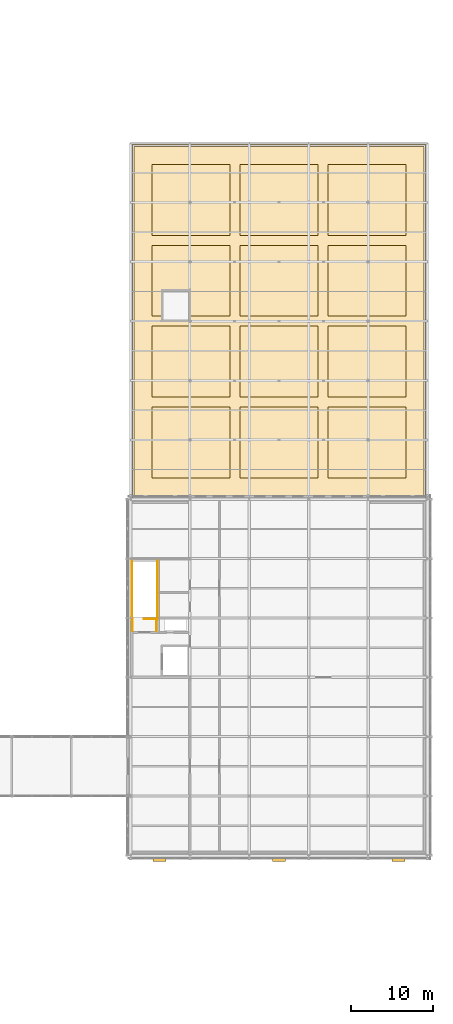
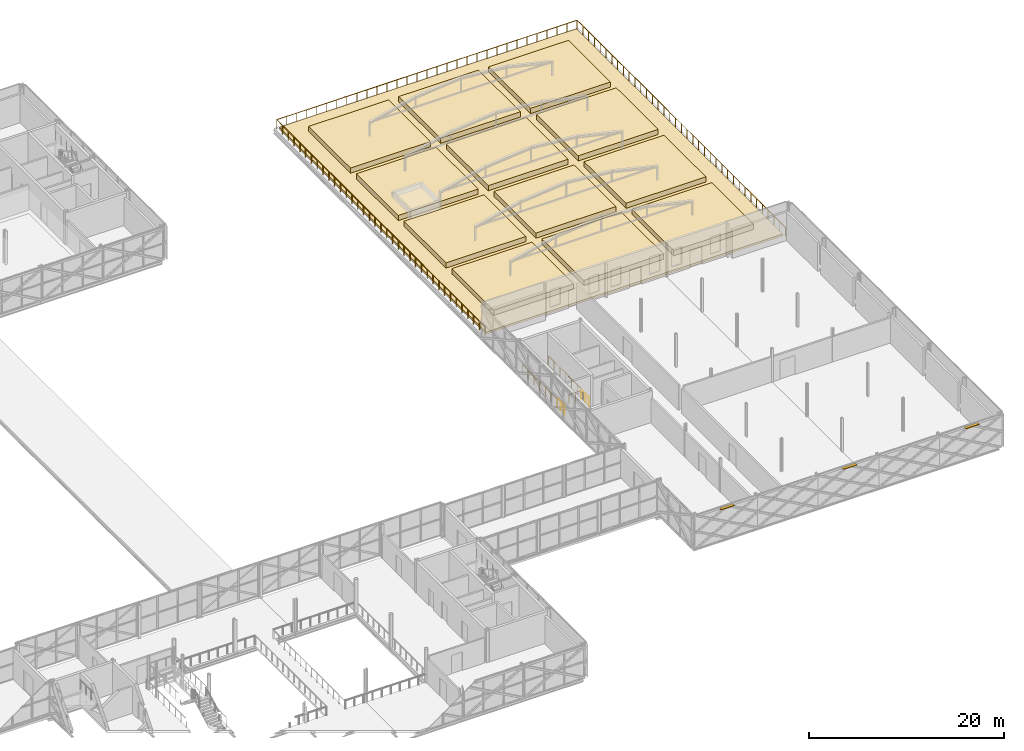
# One storey, part 126 of 126: 13 coverings, 6 railings, 3 shading devices.
"""IFC4 building model written with IfcOpenShell, lengths in metres."""

from ifc_helpers import new_model, si_unit, direction, frame, origin, origin_2d, place, context, subcontext, project, spatial, polyline, rectangle, circle, outline, extrude, material, layer, layer_set, type_object, element, save


model = new_model("IFC4")

# Units and contexts
model_context = context("Model", 3, precision=1e-05, world=origin(), true_north=direction((0.0, 1.0)))
body_context = subcontext(model_context, "Body", "Model", "MODEL_VIEW")
ifc_project = project(units=[si_unit("LENGTHUNIT", "METRE"), si_unit("AREAUNIT", "SQUARE_METRE"), si_unit("VOLUMEUNIT", "CUBIC_METRE"), si_unit("PLANEANGLEUNIT", "RADIAN"), si_unit("MASSUNIT", "GRAM", prefix="KILO")], contexts=[model_context])

# Site, building, storey
site_placement = place(None, origin())
site = spatial("IfcSite", under=ifc_project, at=site_placement, CompositionType="ELEMENT")
building_placement = place(site_placement, origin())
building = spatial("IfcBuilding", under=site, at=building_placement, Name="Zlatovets Crest Museum", CompositionType="ELEMENT")
storey_placement = place(building_placement, frame((0.0, 0.0, 8.699951171875)))
storey = spatial("IfcBuildingStorey", under=building, at=storey_placement, Name="L02", CompositionType="ELEMENT", Elevation=8.699951171875)

# Railing
ifc_material_1 = material(Name="Patinated bronze and laminated glass balustrade", Category="glass")
railing_type_1 = type_object("IfcRailingType", Name="Balustrade_BL01", PredefinedType="BALUSTRADE", material=ifc_material_1)
railing_1_placement = place(storey_placement, frame((129.800048828125, 57.800048828125, 0.0)))
element("IfcRailing", 1, at=railing_1_placement, inside=storey, type_object=railing_type_1, Name="L02 Conservation Roof Garden Guard BL-01", PredefinedType="BALUSTRADE", context=body_context, shape_type="SweptSolid", body=[
    extrude(circle(Radius=0.02392578125, at=origin_2d()), frame((0.0, 0.0, 1.1259765625), z_axis=(0.0, 1.0, 0.0), x_axis=(-1.0, 0.0, 0.0)), (0.0, 0.0, 1.0), 42.800048828125),
    extrude(circle(Radius=0.02392578125, at=origin_2d()), frame((0.0, 42.800048828125, 1.1259765625), z_axis=(1.0, 0.0, 0.0), x_axis=(0.0, 1.0, 0.0)), (0.0, 0.0, 1.0), 35.599853515625),
    extrude(circle(Radius=0.02392578125, at=origin_2d()), frame((35.599853515625, 42.800048828125, 1.1259765625), z_axis=(0.0, -1.0, 0.0), x_axis=(1.0, 0.0, 0.0)), (0.0, 0.0, 1.0), 42.800048828125),
    extrude(circle(Radius=0.02099609375, at=origin_2d()), origin(), (0.0, 0.0, 1.0), 1.101806640625),
    extrude(circle(Radius=0.02099609375, at=origin_2d()), frame((0.0, 1.18896484375, 0.0)), (0.0, 0.0, 1.0), 1.101806640625),
    extrude(circle(Radius=0.02099609375, at=origin_2d()), frame((0.0, 2.377685546875, 0.0)), (0.0, 0.0, 1.0), 1.101806640625),
    extrude(circle(Radius=0.02099609375, at=origin_2d()), frame((0.0, 3.566650390625, 0.0)), (0.0, 0.0, 1.0), 1.101806640625),
    extrude(circle(Radius=0.02099609375, at=origin_2d()), frame((0.0, 4.755615234375, 0.0)), (0.0, 0.0, 1.0), 1.101806640625),
    extrude(circle(Radius=0.02099609375, at=origin_2d()), frame((0.0, 5.9443359375, 0.0)), (0.0, 0.0, 1.0), 1.101806640625),
    extrude(circle(Radius=0.02099609375, at=origin_2d()), frame((0.0, 7.13330078125, 0.0)), (0.0, 0.0, 1.0), 1.101806640625),
    extrude(circle(Radius=0.02099609375, at=origin_2d()), frame((0.0, 8.322265625, 0.0)), (0.0, 0.0, 1.0), 1.101806640625),
    extrude(circle(Radius=0.02099609375, at=origin_2d()), frame((0.0, 9.51123046875, 0.0)), (0.0, 0.0, 1.0), 1.101806640625),
    extrude(circle(Radius=0.02099609375, at=origin_2d()), frame((0.0, 10.699951171875, 0.0)), (0.0, 0.0, 1.0), 1.101806640625),
    extrude(circle(Radius=0.02099609375, at=origin_2d()), frame((0.0, 11.888916015625, 0.0)), (0.0, 0.0, 1.0), 1.101806640625),
    extrude(circle(Radius=0.02099609375, at=origin_2d()), frame((0.0, 13.077880859375, 0.0)), (0.0, 0.0, 1.0), 1.101806640625),
    extrude(circle(Radius=0.02099609375, at=origin_2d()), frame((0.0, 14.2666015625, 0.0)), (0.0, 0.0, 1.0), 1.101806640625),
    extrude(circle(Radius=0.02099609375, at=origin_2d()), frame((0.0, 15.45556640625, 0.0)), (0.0, 0.0, 1.0), 1.101806640625),
    extrude(circle(Radius=0.02099609375, at=origin_2d()), frame((0.0, 16.64453125, 0.0)), (0.0, 0.0, 1.0), 1.101806640625),
    extrude(circle(Radius=0.02099609375, at=origin_2d()), frame((0.0, 17.833251953125, 0.0)), (0.0, 0.0, 1.0), 1.101806640625),
    extrude(circle(Radius=0.02099609375, at=origin_2d()), frame((0.0, 19.022216796875, 0.0)), (0.0, 0.0, 1.0), 1.101806640625),
    extrude(circle(Radius=0.02099609375, at=origin_2d()), frame((0.0, 20.211181640625, 0.0)), (0.0, 0.0, 1.0), 1.101806640625),
    extrude(circle(Radius=0.02099609375, at=origin_2d()), frame((0.0, 21.39990234375, 0.0)), (0.0, 0.0, 1.0), 1.101806640625),
    extrude(circle(Radius=0.02099609375, at=origin_2d()), frame((0.0, 22.5888671875, 0.0)), (0.0, 0.0, 1.0), 1.101806640625),
    extrude(circle(Radius=0.02099609375, at=origin_2d()), frame((0.0, 23.77783203125, 0.0)), (0.0, 0.0, 1.0), 1.101806640625),
    extrude(circle(Radius=0.02099609375, at=origin_2d()), frame((0.0, 24.966796875, 0.0)), (0.0, 0.0, 1.0), 1.101806640625),
    extrude(circle(Radius=0.02099609375, at=origin_2d()), frame((0.0, 26.155517578125, 0.0)), (0.0, 0.0, 1.0), 1.101806640625),
    extrude(circle(Radius=0.02099609375, at=origin_2d()), frame((0.0, 27.344482421875, 0.0)), (0.0, 0.0, 1.0), 1.101806640625),
    extrude(circle(Radius=0.02099609375, at=origin_2d()), frame((0.0, 28.533447265625, 0.0)), (0.0, 0.0, 1.0), 1.101806640625),
    extrude(circle(Radius=0.02099609375, at=origin_2d()), frame((0.0, 29.72216796875, 0.0)), (0.0, 0.0, 1.0), 1.101806640625),
    extrude(circle(Radius=0.02099609375, at=origin_2d()), frame((0.0, 30.9111328125, 0.0)), (0.0, 0.0, 1.0), 1.101806640625),
    extrude(circle(Radius=0.02099609375, at=origin_2d()), frame((0.0, 32.10009765625, 0.0)), (0.0, 0.0, 1.0), 1.101806640625),
    extrude(circle(Radius=0.02099609375, at=origin_2d()), frame((0.0, 33.288818359375, 0.0)), (0.0, 0.0, 1.0), 1.101806640625),
    extrude(circle(Radius=0.02099609375, at=origin_2d()), frame((0.0, 34.477783203125, 0.0)), (0.0, 0.0, 1.0), 1.101806640625),
    extrude(circle(Radius=0.02099609375, at=origin_2d()), frame((0.0, 35.666748046875, 0.0)), (0.0, 0.0, 1.0), 1.101806640625),
    extrude(circle(Radius=0.02099609375, at=origin_2d()), frame((0.0, 36.855712890625, 0.0)), (0.0, 0.0, 1.0), 1.101806640625),
    extrude(circle(Radius=0.02099609375, at=origin_2d()), frame((0.0, 38.04443359375, 0.0)), (0.0, 0.0, 1.0), 1.101806640625),
    extrude(circle(Radius=0.02099609375, at=origin_2d()), frame((0.0, 39.2333984375, 0.0)), (0.0, 0.0, 1.0), 1.101806640625),
    extrude(circle(Radius=0.02099609375, at=origin_2d()), frame((0.0, 40.42236328125, 0.0)), (0.0, 0.0, 1.0), 1.101806640625),
    extrude(circle(Radius=0.02099609375, at=origin_2d()), frame((0.0, 41.611083984375, 0.0)), (0.0, 0.0, 1.0), 1.101806640625),
    extrude(circle(Radius=0.02099609375, at=origin_2d()), frame((0.0, 42.800048828125, 0.0)), (0.0, 0.0, 1.0), 1.101806640625),
    extrude(circle(Radius=0.02099609375, at=origin_2d()), frame((1.186767578125, 42.800048828125, 0.0)), (0.0, 0.0, 1.0), 1.101806640625),
    extrude(circle(Radius=0.02099609375, at=origin_2d()), frame((2.373291015625, 42.800048828125, 0.0)), (0.0, 0.0, 1.0), 1.101806640625),
    extrude(circle(Radius=0.02099609375, at=origin_2d()), frame((3.56005859375, 42.800048828125, 0.0)), (0.0, 0.0, 1.0), 1.101806640625),
    extrude(circle(Radius=0.02099609375, at=origin_2d()), frame((4.74658203125, 42.800048828125, 0.0)), (0.0, 0.0, 1.0), 1.101806640625),
    extrude(circle(Radius=0.02099609375, at=origin_2d()), frame((5.933349609375, 42.800048828125, 0.0)), (0.0, 0.0, 1.0), 1.101806640625),
    extrude(circle(Radius=0.02099609375, at=origin_2d()), frame((7.119873046875, 42.800048828125, 0.0)), (0.0, 0.0, 1.0), 1.101806640625),
    extrude(circle(Radius=0.02099609375, at=origin_2d()), frame((8.306640625, 42.800048828125, 0.0)), (0.0, 0.0, 1.0), 1.101806640625),
    extrude(circle(Radius=0.02099609375, at=origin_2d()), frame((9.493408203125, 42.800048828125, 0.0)), (0.0, 0.0, 1.0), 1.101806640625),
    extrude(circle(Radius=0.02099609375, at=origin_2d()), frame((10.679931640625, 42.800048828125, 0.0)), (0.0, 0.0, 1.0), 1.101806640625),
    extrude(circle(Radius=0.02099609375, at=origin_2d()), frame((11.86669921875, 42.800048828125, 0.0)), (0.0, 0.0, 1.0), 1.101806640625),
    extrude(circle(Radius=0.02099609375, at=origin_2d()), frame((13.05322265625, 42.800048828125, 0.0)), (0.0, 0.0, 1.0), 1.101806640625),
    extrude(circle(Radius=0.02099609375, at=origin_2d()), frame((14.239990234375, 42.800048828125, 0.0)), (0.0, 0.0, 1.0), 1.101806640625),
    extrude(circle(Radius=0.02099609375, at=origin_2d()), frame((15.426513671875, 42.800048828125, 0.0)), (0.0, 0.0, 1.0), 1.101806640625),
    extrude(circle(Radius=0.02099609375, at=origin_2d()), frame((16.61328125, 42.800048828125, 0.0)), (0.0, 0.0, 1.0), 1.101806640625),
    extrude(circle(Radius=0.02099609375, at=origin_2d()), frame((17.7998046875, 42.800048828125, 0.0)), (0.0, 0.0, 1.0), 1.101806640625),
    extrude(circle(Radius=0.02099609375, at=origin_2d()), frame((18.986572265625, 42.800048828125, 0.0)), (0.0, 0.0, 1.0), 1.101806640625),
    extrude(circle(Radius=0.02099609375, at=origin_2d()), frame((20.17333984375, 42.800048828125, 0.0)), (0.0, 0.0, 1.0), 1.101806640625),
    extrude(circle(Radius=0.02099609375, at=origin_2d()), frame((21.35986328125, 42.800048828125, 0.0)), (0.0, 0.0, 1.0), 1.101806640625),
    extrude(circle(Radius=0.02099609375, at=origin_2d()), frame((22.546630859375, 42.800048828125, 0.0)), (0.0, 0.0, 1.0), 1.101806640625),
    extrude(circle(Radius=0.02099609375, at=origin_2d()), frame((23.733154296875, 42.800048828125, 0.0)), (0.0, 0.0, 1.0), 1.101806640625),
    extrude(circle(Radius=0.02099609375, at=origin_2d()), frame((24.919921875, 42.800048828125, 0.0)), (0.0, 0.0, 1.0), 1.101806640625),
    extrude(circle(Radius=0.02099609375, at=origin_2d()), frame((26.1064453125, 42.800048828125, 0.0)), (0.0, 0.0, 1.0), 1.101806640625),
    extrude(circle(Radius=0.02099609375, at=origin_2d()), frame((27.293212890625, 42.800048828125, 0.0)), (0.0, 0.0, 1.0), 1.101806640625),
    extrude(circle(Radius=0.02099609375, at=origin_2d()), frame((28.47998046875, 42.800048828125, 0.0)), (0.0, 0.0, 1.0), 1.101806640625),
    extrude(circle(Radius=0.02099609375, at=origin_2d()), frame((29.66650390625, 42.800048828125, 0.0)), (0.0, 0.0, 1.0), 1.101806640625),
    extrude(circle(Radius=0.02099609375, at=origin_2d()), frame((30.853271484375, 42.800048828125, 0.0)), (0.0, 0.0, 1.0), 1.101806640625),
    extrude(circle(Radius=0.02099609375, at=origin_2d()), frame((32.039794921875, 42.800048828125, 0.0)), (0.0, 0.0, 1.0), 1.101806640625),
    extrude(circle(Radius=0.02099609375, at=origin_2d()), frame((33.2265625, 42.800048828125, 0.0)), (0.0, 0.0, 1.0), 1.101806640625),
    extrude(circle(Radius=0.02099609375, at=origin_2d()), frame((34.4130859375, 42.800048828125, 0.0)), (0.0, 0.0, 1.0), 1.101806640625),
    extrude(circle(Radius=0.02099609375, at=origin_2d()), frame((35.599853515625, 42.800048828125, 0.0)), (0.0, 0.0, 1.0), 1.101806640625),
    extrude(circle(Radius=0.02099609375, at=origin_2d()), frame((35.599853515625, 41.611083984375, 0.0)), (0.0, 0.0, 1.0), 1.101806640625),
    extrude(circle(Radius=0.02099609375, at=origin_2d()), frame((35.599853515625, 40.42236328125, 0.0)), (0.0, 0.0, 1.0), 1.101806640625),
    extrude(circle(Radius=0.02099609375, at=origin_2d()), frame((35.599853515625, 39.2333984375, 0.0)), (0.0, 0.0, 1.0), 1.101806640625),
    extrude(circle(Radius=0.02099609375, at=origin_2d()), frame((35.599853515625, 38.04443359375, 0.0)), (0.0, 0.0, 1.0), 1.101806640625),
    extrude(circle(Radius=0.02099609375, at=origin_2d()), frame((35.599853515625, 36.855712890625, 0.0)), (0.0, 0.0, 1.0), 1.101806640625),
    extrude(circle(Radius=0.02099609375, at=origin_2d()), frame((35.599853515625, 35.666748046875, 0.0)), (0.0, 0.0, 1.0), 1.101806640625),
    extrude(circle(Radius=0.02099609375, at=origin_2d()), frame((35.599853515625, 34.477783203125, 0.0)), (0.0, 0.0, 1.0), 1.101806640625),
    extrude(circle(Radius=0.02099609375, at=origin_2d()), frame((35.599853515625, 33.288818359375, 0.0)), (0.0, 0.0, 1.0), 1.101806640625),
    extrude(circle(Radius=0.02099609375, at=origin_2d()), frame((35.599853515625, 32.10009765625, 0.0)), (0.0, 0.0, 1.0), 1.101806640625),
    extrude(circle(Radius=0.02099609375, at=origin_2d()), frame((35.599853515625, 30.9111328125, 0.0)), (0.0, 0.0, 1.0), 1.101806640625),
    extrude(circle(Radius=0.02099609375, at=origin_2d()), frame((35.599853515625, 29.72216796875, 0.0)), (0.0, 0.0, 1.0), 1.101806640625),
    extrude(circle(Radius=0.02099609375, at=origin_2d()), frame((35.599853515625, 28.533447265625, 0.0)), (0.0, 0.0, 1.0), 1.101806640625),
    extrude(circle(Radius=0.02099609375, at=origin_2d()), frame((35.599853515625, 27.344482421875, 0.0)), (0.0, 0.0, 1.0), 1.101806640625),
    extrude(circle(Radius=0.02099609375, at=origin_2d()), frame((35.599853515625, 26.155517578125, 0.0)), (0.0, 0.0, 1.0), 1.101806640625),
    extrude(circle(Radius=0.02099609375, at=origin_2d()), frame((35.599853515625, 24.966796875, 0.0)), (0.0, 0.0, 1.0), 1.101806640625),
    extrude(circle(Radius=0.02099609375, at=origin_2d()), frame((35.599853515625, 23.77783203125, 0.0)), (0.0, 0.0, 1.0), 1.101806640625),
    extrude(circle(Radius=0.02099609375, at=origin_2d()), frame((35.599853515625, 22.5888671875, 0.0)), (0.0, 0.0, 1.0), 1.101806640625),
    extrude(circle(Radius=0.02099609375, at=origin_2d()), frame((35.599853515625, 21.39990234375, 0.0)), (0.0, 0.0, 1.0), 1.101806640625),
    extrude(circle(Radius=0.02099609375, at=origin_2d()), frame((35.599853515625, 20.211181640625, 0.0)), (0.0, 0.0, 1.0), 1.101806640625),
    extrude(circle(Radius=0.02099609375, at=origin_2d()), frame((35.599853515625, 19.022216796875, 0.0)), (0.0, 0.0, 1.0), 1.101806640625),
    extrude(circle(Radius=0.02099609375, at=origin_2d()), frame((35.599853515625, 17.833251953125, 0.0)), (0.0, 0.0, 1.0), 1.101806640625),
    extrude(circle(Radius=0.02099609375, at=origin_2d()), frame((35.599853515625, 16.64453125, 0.0)), (0.0, 0.0, 1.0), 1.101806640625),
    extrude(circle(Radius=0.02099609375, at=origin_2d()), frame((35.599853515625, 15.45556640625, 0.0)), (0.0, 0.0, 1.0), 1.101806640625),
    extrude(circle(Radius=0.02099609375, at=origin_2d()), frame((35.599853515625, 14.2666015625, 0.0)), (0.0, 0.0, 1.0), 1.101806640625),
    extrude(circle(Radius=0.02099609375, at=origin_2d()), frame((35.599853515625, 13.077880859375, 0.0)), (0.0, 0.0, 1.0), 1.101806640625),
    extrude(circle(Radius=0.02099609375, at=origin_2d()), frame((35.599853515625, 11.888916015625, 0.0)), (0.0, 0.0, 1.0), 1.101806640625),
    extrude(circle(Radius=0.02099609375, at=origin_2d()), frame((35.599853515625, 10.699951171875, 0.0)), (0.0, 0.0, 1.0), 1.101806640625),
    extrude(circle(Radius=0.02099609375, at=origin_2d()), frame((35.599853515625, 9.51123046875, 0.0)), (0.0, 0.0, 1.0), 1.101806640625),
    extrude(circle(Radius=0.02099609375, at=origin_2d()), frame((35.599853515625, 8.322265625, 0.0)), (0.0, 0.0, 1.0), 1.101806640625),
    extrude(circle(Radius=0.02099609375, at=origin_2d()), frame((35.599853515625, 7.13330078125, 0.0)), (0.0, 0.0, 1.0), 1.101806640625),
    extrude(circle(Radius=0.02099609375, at=origin_2d()), frame((35.599853515625, 5.9443359375, 0.0)), (0.0, 0.0, 1.0), 1.101806640625),
    extrude(circle(Radius=0.02099609375, at=origin_2d()), frame((35.599853515625, 4.755615234375, 0.0)), (0.0, 0.0, 1.0), 1.101806640625),
    extrude(circle(Radius=0.02099609375, at=origin_2d()), frame((35.599853515625, 3.566650390625, 0.0)), (0.0, 0.0, 1.0), 1.101806640625),
    extrude(circle(Radius=0.02099609375, at=origin_2d()), frame((35.599853515625, 2.377685546875, 0.0)), (0.0, 0.0, 1.0), 1.101806640625),
    extrude(circle(Radius=0.02099609375, at=origin_2d()), frame((35.599853515625, 1.18896484375, 0.0)), (0.0, 0.0, 1.0), 1.101806640625),
    extrude(circle(Radius=0.02099609375, at=origin_2d()), frame((35.599853515625, 0.0, 0.0)), (0.0, 0.0, 1.0), 1.101806640625),
])

# Coverings
ifc_material_2 = material(Name="Planted sedum and perennial roof-garden substrate")
ifc_layer = layer(ifc_material_2, 0.179931640625)
ifc_layer_set = layer_set([ifc_layer], Name="Planted sedum and perennial roof-garden substrate")
covering_type = type_object("IfcCoveringType", Name="RoofCov_Garden", PredefinedType="ROOFING", material=ifc_layer_set)
covering_1_placement = place(storey_placement, origin())
element("IfcCovering", 2, at=covering_1_placement, inside=storey, type_object=covering_type, Name="L02 Planted Roof Garden Sedum Layer", PredefinedType="ROOFING", context=body_context, shape_type="SweptSolid", body=[
    extrude(outline(polyline([(165.199951171875, 58.0), (165.199951171875, 100.39990234375), (130.0, 100.39990234375), (130.0, 58.0), (165.199951171875, 58.0)])), origin(), (0.0, 0.0, 1.0), 0.25),
])
covering_2_placement = place(storey_placement, frame((0.0, 0.0, 0.25)))
element("IfcCovering", 3, at=covering_2_placement, inside=storey, type_object=covering_type, Name="V5N Raised Botanical Roof-Garden Parterre", PredefinedType="ROOFING", context=body_context, shape_type="SweptSolid", body=[
    extrude(outline(polyline([(132.199951171875, 60.199951171875), (141.666748046875, 60.199951171875), (141.666748046875, 68.800048828125), (132.199951171875, 68.800048828125), (132.199951171875, 60.199951171875)])), origin(), (0.0, 0.0, 1.0), 0.650146484375),
])
covering_3_placement = place(storey_placement, frame((0.0, 0.0, 0.25)))
element("IfcCovering", 4, at=covering_3_placement, inside=storey, type_object=covering_type, Name="V5N Raised Botanical Roof-Garden Parterre", PredefinedType="ROOFING", context=body_context, shape_type="SweptSolid", body=[
    extrude(outline(polyline([(132.199951171875, 70.0), (141.666748046875, 70.0), (141.666748046875, 78.60009765625), (132.199951171875, 78.60009765625), (132.199951171875, 70.0)])), origin(), (0.0, 0.0, 1.0), 0.650146484375),
])
covering_4_placement = place(storey_placement, frame((0.0, 0.0, 0.25)))
element("IfcCovering", 5, at=covering_4_placement, inside=storey, type_object=covering_type, Name="V5N Raised Botanical Roof-Garden Parterre", PredefinedType="ROOFING", context=body_context, shape_type="SweptSolid", body=[
    extrude(outline(polyline([(132.199951171875, 79.800048828125), (141.666748046875, 79.800048828125), (141.666748046875, 88.39990234375), (132.199951171875, 88.39990234375), (132.199951171875, 79.800048828125)])), origin(), (0.0, 0.0, 1.0), 0.650146484375),
])
covering_5_placement = place(storey_placement, frame((0.0, 0.0, 0.25)))
element("IfcCovering", 6, at=covering_5_placement, inside=storey, type_object=covering_type, Name="V5N Raised Botanical Roof-Garden Parterre", PredefinedType="ROOFING", context=body_context, shape_type="SweptSolid", body=[
    extrude(outline(polyline([(132.199951171875, 89.60009765625), (141.666748046875, 89.60009765625), (141.666748046875, 98.199951171875), (132.199951171875, 98.199951171875), (132.199951171875, 89.60009765625)])), origin(), (0.0, 0.0, 1.0), 0.650146484375),
])
covering_6_placement = place(storey_placement, frame((0.0, 0.0, 0.25)))
element("IfcCovering", 7, at=covering_6_placement, inside=storey, type_object=covering_type, Name="V5N Raised Botanical Roof-Garden Parterre", PredefinedType="ROOFING", context=body_context, shape_type="SweptSolid", body=[
    extrude(outline(polyline([(142.86669921875, 60.199951171875), (152.333251953125, 60.199951171875), (152.333251953125, 68.800048828125), (142.86669921875, 68.800048828125), (142.86669921875, 60.199951171875)])), origin(), (0.0, 0.0, 1.0), 0.650146484375),
])
covering_7_placement = place(storey_placement, frame((0.0, 0.0, 0.25)))
element("IfcCovering", 8, at=covering_7_placement, inside=storey, type_object=covering_type, Name="V5N Raised Botanical Roof-Garden Parterre", PredefinedType="ROOFING", context=body_context, shape_type="SweptSolid", body=[
    extrude(outline(polyline([(142.86669921875, 70.0), (152.333251953125, 70.0), (152.333251953125, 78.60009765625), (142.86669921875, 78.60009765625), (142.86669921875, 70.0)])), origin(), (0.0, 0.0, 1.0), 0.650146484375),
])
covering_8_placement = place(storey_placement, frame((0.0, 0.0, 0.25)))
element("IfcCovering", 9, at=covering_8_placement, inside=storey, type_object=covering_type, Name="V5N Raised Botanical Roof-Garden Parterre", PredefinedType="ROOFING", context=body_context, shape_type="SweptSolid", body=[
    extrude(outline(polyline([(142.86669921875, 79.800048828125), (152.333251953125, 79.800048828125), (152.333251953125, 88.39990234375), (142.86669921875, 88.39990234375), (142.86669921875, 79.800048828125)])), origin(), (0.0, 0.0, 1.0), 0.650146484375),
])
covering_9_placement = place(storey_placement, frame((0.0, 0.0, 0.25)))
element("IfcCovering", 10, at=covering_9_placement, inside=storey, type_object=covering_type, Name="V5N Raised Botanical Roof-Garden Parterre", PredefinedType="ROOFING", context=body_context, shape_type="SweptSolid", body=[
    extrude(outline(polyline([(142.86669921875, 89.60009765625), (152.333251953125, 89.60009765625), (152.333251953125, 98.199951171875), (142.86669921875, 98.199951171875), (142.86669921875, 89.60009765625)])), origin(), (0.0, 0.0, 1.0), 0.650146484375),
])
covering_10_placement = place(storey_placement, frame((0.0, 0.0, 0.25)))
element("IfcCovering", 11, at=covering_10_placement, inside=storey, type_object=covering_type, Name="V5N Raised Botanical Roof-Garden Parterre", PredefinedType="ROOFING", context=body_context, shape_type="SweptSolid", body=[
    extrude(outline(polyline([(153.533203125, 60.199951171875), (163.0, 60.199951171875), (163.0, 68.800048828125), (153.533203125, 68.800048828125), (153.533203125, 60.199951171875)])), origin(), (0.0, 0.0, 1.0), 0.650146484375),
])
covering_11_placement = place(storey_placement, frame((0.0, 0.0, 0.25)))
element("IfcCovering", 12, at=covering_11_placement, inside=storey, type_object=covering_type, Name="V5N Raised Botanical Roof-Garden Parterre", PredefinedType="ROOFING", context=body_context, shape_type="SweptSolid", body=[
    extrude(outline(polyline([(153.533203125, 70.0), (163.0, 70.0), (163.0, 78.60009765625), (153.533203125, 78.60009765625), (153.533203125, 70.0)])), origin(), (0.0, 0.0, 1.0), 0.650146484375),
])
covering_12_placement = place(storey_placement, frame((0.0, 0.0, 0.25)))
element("IfcCovering", 13, at=covering_12_placement, inside=storey, type_object=covering_type, Name="V5N Raised Botanical Roof-Garden Parterre", PredefinedType="ROOFING", context=body_context, shape_type="SweptSolid", body=[
    extrude(outline(polyline([(153.533203125, 79.800048828125), (163.0, 79.800048828125), (163.0, 88.39990234375), (153.533203125, 88.39990234375), (153.533203125, 79.800048828125)])), origin(), (0.0, 0.0, 1.0), 0.650146484375),
])
covering_13_placement = place(storey_placement, frame((0.0, 0.0, 0.25)))
element("IfcCovering", 14, at=covering_13_placement, inside=storey, type_object=covering_type, Name="V5N Raised Botanical Roof-Garden Parterre", PredefinedType="ROOFING", context=body_context, shape_type="SweptSolid", body=[
    extrude(outline(polyline([(153.533203125, 89.60009765625), (163.0, 89.60009765625), (163.0, 98.199951171875), (153.533203125, 98.199951171875), (153.533203125, 89.60009765625)])), origin(), (0.0, 0.0, 1.0), 0.650146484375),
])

# Railings
ifc_material_3 = material(Name="Painted steel safety guardrail", Category="steel")
railing_type_2 = type_object("IfcRailingType", Name="StairGuard_SG01", PredefinedType="GUARDRAIL", material=ifc_material_3)
railing_2_placement = place(storey_placement, frame((132.800048828125, 43.050048828125, 0.0)))
element("IfcRailing", 15, at=railing_2_placement, inside=storey, type_object=railing_type_2, Name="L02 ST5 top well guard 1", PredefinedType="GUARDRAIL", context=body_context, shape_type="SweptSolid", body=[
    extrude(circle(Radius=0.02392578125, at=origin_2d()), frame((0.0, 0.0, 1.076171875), z_axis=(-1.0, 0.0, 0.0), x_axis=(0.0, -1.0, 0.0)), (0.0, 0.0, 1.0), 1.60009765625),
    extrude(circle(Radius=0.02099609375, at=origin_2d()), origin(), (0.0, 0.0, 1.0), 1.052001953125),
    extrude(circle(Radius=0.02099609375, at=origin_2d()), frame((-0.800048828125, 0.0, 0.0)), (0.0, 0.0, 1.0), 1.052001953125),
    extrude(circle(Radius=0.02099609375, at=origin_2d()), frame((-1.60009765625, 0.0, 0.0)), (0.0, 0.0, 1.0), 1.052001953125),
])
for number, where, name in (
    (16, (132.85009765625, 43.0, 0.0), "L02 ST5 top well guard 2"),
    (17, (129.75, 43.0, 0.0), "L02 ST5 top well guard 3"),
):
    element("IfcRailing", number, at=place(storey_placement, frame(where)), inside=storey, type_object=railing_type_2, Name=name, PredefinedType="GUARDRAIL", context=body_context, shape_type="SweptSolid", body=[
        extrude(circle(Radius=0.02392578125, at=origin_2d()), frame((0.0, 0.0, 1.076171875), z_axis=(0.0, 1.0, 0.0), x_axis=(-1.0, 0.0, 0.0)), (0.0, 0.0, 1.0), 7.10009765625),
        extrude(circle(Radius=0.02099609375, at=origin_2d()), origin(), (0.0, 0.0, 1.0), 1.052001953125),
        extrude(circle(Radius=0.02099609375, at=origin_2d()), frame((0.0, 1.183349609375, 0.0)), (0.0, 0.0, 1.0), 1.052001953125),
        extrude(circle(Radius=0.02099609375, at=origin_2d()), frame((0.0, 2.36669921875, 0.0)), (0.0, 0.0, 1.0), 1.052001953125),
        extrude(circle(Radius=0.02099609375, at=origin_2d()), frame((0.0, 3.550048828125, 0.0)), (0.0, 0.0, 1.0), 1.052001953125),
        extrude(circle(Radius=0.02099609375, at=origin_2d()), frame((0.0, 4.7333984375, 0.0)), (0.0, 0.0, 1.0), 1.052001953125),
        extrude(circle(Radius=0.02099609375, at=origin_2d()), frame((0.0, 5.916748046875, 0.0)), (0.0, 0.0, 1.0), 1.052001953125),
        extrude(circle(Radius=0.02099609375, at=origin_2d()), frame((0.0, 7.10009765625, 0.0)), (0.0, 0.0, 1.0), 1.052001953125),
    ])
for number, where, name in (
    (18, (132.75, 41.60009765625, 0.0), "L02 ST5 top well guard 4"),
    (19, (129.85009765625, 41.60009765625, 0.0), "L02 ST5 top well guard 5"),
):
    element("IfcRailing", number, at=place(storey_placement, frame(where)), inside=storey, type_object=railing_type_2, Name=name, PredefinedType="GUARDRAIL", context=body_context, shape_type="SweptSolid", body=[
        extrude(circle(Radius=0.02392578125, at=origin_2d()), frame((0.0, 0.0, 1.076171875), z_axis=(0.0, 1.0, 0.0), x_axis=(-1.0, 0.0, 0.0)), (0.0, 0.0, 1.0), 1.5),
        extrude(circle(Radius=0.02099609375, at=origin_2d()), origin(), (0.0, 0.0, 1.0), 1.052001953125),
        extrude(circle(Radius=0.02099609375, at=origin_2d()), frame((0.0, 0.75, 0.0)), (0.0, 0.0, 1.0), 1.052001953125),
        extrude(circle(Radius=0.02099609375, at=origin_2d()), frame((0.0, 1.5, 0.0)), (0.0, 0.0, 1.0), 1.052001953125),
    ])

# Shading devices
ifc_material_4 = material(Name="Patinated bronze solar-control louvre", Category="aluminium")
shading_device_type = type_object("IfcShadingDeviceType", Name="SunLouvre_SL01", PredefinedType="JALOUSIE", material=ifc_material_4)
for number, where, z_axis, x_axis, name in (
    (20, (133.10009765625, 13.860107421875, 4.010009765625), (0.0, 0.0, 1.0), (1.0, 0.0, 0.0), "Bronze Solar-Control Louvre Hood"),
    (21, (147.60009765625, 13.860107421875, 4.010009765625), (0.0, 0.0, 1.0), (1.0, 0.0, 0.0), "Bronze Solar-Control Louvre Hood"),
    (22, (162.10009765625, 13.860107421875, 4.010009765625), (0.0, 0.0, 1.0), (1.0, 0.0, 0.0), "Bronze Solar-Control Louvre Hood"),
):
    element("IfcShadingDevice", number, at=place(storey_placement, frame(where, z_axis=z_axis, x_axis=x_axis)), inside=storey, type_object=shading_device_type, Name=name, PredefinedType="JALOUSIE", context=body_context, shape_type="SweptSolid", body=[
        extrude(rectangle(XDim=1.60009765625, YDim=0.35009765625, at=origin_2d()), origin(), (0.0, 0.0, 1.0), 0.080078125),
    ])

save(model, "model.ifc")
